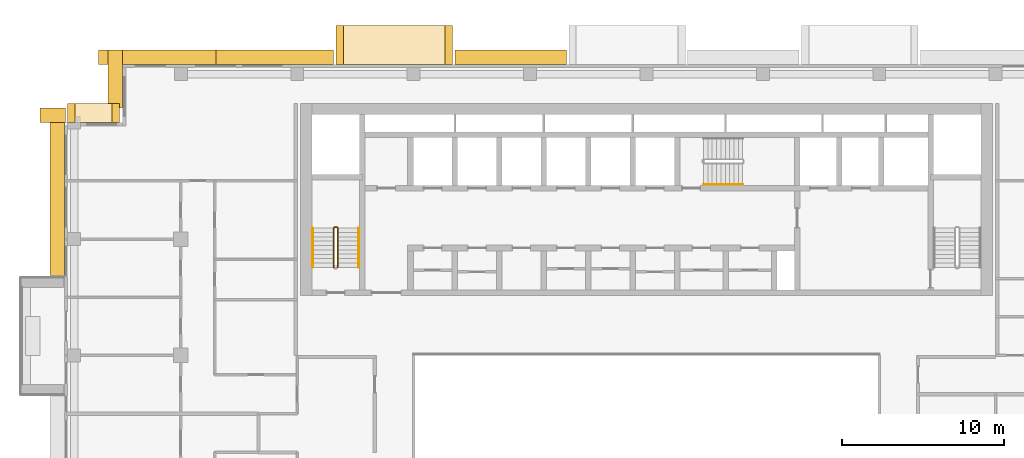
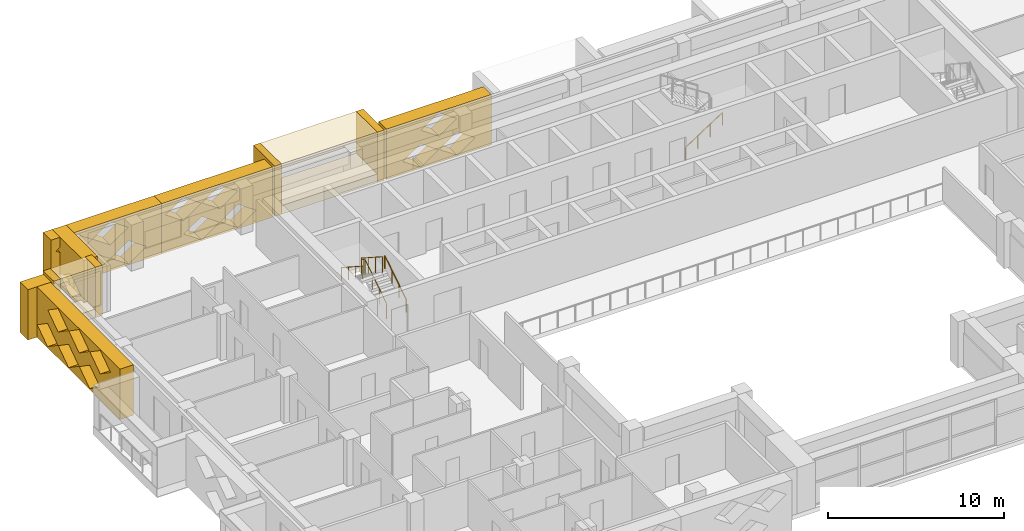
# One storey, part 18 of 20: 14 coverings, 4 railings.
"""IFC4 building model written with IfcOpenShell, lengths in metres."""

from ifc_helpers import new_model, si_unit, direction, frame, origin, origin_2d, place, context, subcontext, project, spatial, polyline, circle, outline, extrude, material, type_object, element, save


model = new_model("IFC4")

# Units and contexts
model_context = context("Model", 3, precision=1e-05, world=origin(), true_north=direction((0.0, 1.0)))
body_context = subcontext(model_context, "Body", "Model", "MODEL_VIEW")
ifc_project = project(units=[si_unit("LENGTHUNIT", "METRE"), si_unit("AREAUNIT", "SQUARE_METRE"), si_unit("VOLUMEUNIT", "CUBIC_METRE"), si_unit("PLANEANGLEUNIT", "RADIAN"), si_unit("MASSUNIT", "GRAM", prefix="KILO")], contexts=[model_context])

# Site, building, storey
site_placement = place(None, origin())
site = spatial("IfcSite", under=ifc_project, at=site_placement, CompositionType="ELEMENT")
building_placement = place(site_placement, origin())
building = spatial("IfcBuilding", under=site, at=building_placement, Name="Saffron Iwan Residences", CompositionType="ELEMENT")
storey_placement = place(building_placement, frame((0.0, 0.0, 192.0)))
storey = spatial("IfcBuildingStorey", under=building, at=storey_placement, Name="L51", CompositionType="ELEMENT", Elevation=192.0)

# Coverings
ifc_material_1 = material(Name="Precast concrete C40/50", Category="concrete")
covering_type_1 = type_object("IfcCoveringType", Name="OUTER SKIN LATTICE SCREEN", PredefinedType="CLADDING", material=ifc_material_1)
covering_1_placement = place(storey_placement, frame((45.449951171875, 80.39990234375, -0.300048828125), z_axis=(0.0, 1.0, 0.0), x_axis=(-1.0, 0.0, 0.0)))
element("IfcCovering", 1, at=covering_1_placement, inside=storey, type_object=covering_type_1, Name="OUTER SKIN lattice screen L51 F5.3", PredefinedType="CLADDING", context=body_context, shape_type="SweptSolid", body=[
    extrude(outline(polyline([(0.0, 0.0), (6.89990234375, 0.0), (6.89990234375, 3.5), (0.0, 3.5), (0.0, 0.0)]), holes=[polyline([(1.070068359375, 0.875), (2.25, 0.06005859375), (3.429931640625, 0.875), (2.25, 1.68994140625), (1.070068359375, 0.875)]), polyline([(3.469970703125, 0.875), (4.64990234375, 0.06005859375), (5.830078125, 0.875), (4.64990234375, 1.68994140625), (3.469970703125, 0.875)]), polyline([(2.27001953125, 2.625), (3.449951171875, 1.81005859375), (4.6298828125, 2.625), (3.449951171875, 3.43994140625), (2.27001953125, 2.625)])]), origin(), (0.0, 0.0, 1.0), 0.900146484375),
])
covering_2_placement = place(storey_placement, frame((31.050048828125, 80.39990234375, -0.300048828125), z_axis=(0.0, 1.0, 0.0), x_axis=(-1.0, 0.0, 0.0)))
element("IfcCovering", 2, at=covering_2_placement, inside=storey, type_object=covering_type_1, Name="OUTER SKIN lattice screen L51 F5.4", PredefinedType="CLADDING", context=body_context, shape_type="SweptSolid", body=[
    extrude(outline(polyline([(0.0, 0.0), (7.27490234375, 0.0), (7.27490234375, 3.5), (0.0, 3.5), (0.0, 0.0)]), holes=[polyline([(1.070068359375, 0.875), (2.25, 0.06005859375), (3.429931640625, 0.875), (2.25, 1.68994140625), (1.070068359375, 0.875)]), polyline([(3.469970703125, 0.875), (4.64990234375, 0.06005859375), (5.830078125, 0.875), (4.64990234375, 1.68994140625), (3.469970703125, 0.875)]), polyline([(2.27001953125, 2.625), (3.449951171875, 1.81005859375), (4.6298828125, 2.625), (3.449951171875, 3.43994140625), (2.27001953125, 2.625)]), polyline([(4.669921875, 2.625), (5.85009765625, 1.81005859375), (7.030029296875, 2.625), (5.85009765625, 3.43994140625), (4.669921875, 2.625)])]), origin(), (0.0, 0.0, 1.0), 0.900146484375),
])
covering_3_placement = place(storey_placement, frame((23.77490234375, 80.39990234375, -0.300048828125), z_axis=(0.0, 1.0, 0.0), x_axis=(-1.0, 0.0, 0.0)))
element("IfcCovering", 3, at=covering_3_placement, inside=storey, type_object=covering_type_1, Name="OUTER SKIN lattice screen L51 F5.5", PredefinedType="CLADDING", context=body_context, shape_type="SweptSolid", body=[
    extrude(outline(polyline([(0.0, 0.0), (7.27490234375, 0.0), (7.27490234375, 3.5), (0.0, 3.5), (0.0, 0.0)]), holes=[polyline([(0.9951171875, 0.875), (2.175048828125, 0.06005859375), (3.35498046875, 0.875), (2.175048828125, 1.68994140625), (0.9951171875, 0.875)]), polyline([(3.39501953125, 0.875), (4.574951171875, 0.06005859375), (5.7548828125, 0.875), (4.574951171875, 1.68994140625), (3.39501953125, 0.875)]), polyline([(2.195068359375, 2.625), (3.375, 1.81005859375), (4.554931640625, 2.625), (3.375, 3.43994140625), (2.195068359375, 2.625)]), polyline([(4.594970703125, 2.625), (5.77490234375, 1.81005859375), (6.955078125, 2.625), (5.77490234375, 3.43994140625), (4.594970703125, 2.625)])]), origin(), (0.0, 0.0, 1.0), 0.900146484375),
])
covering_4_placement = place(storey_placement, frame((18.0, 81.300048828125, -0.300048828125), z_axis=(-1.0, 0.0, 0.0), x_axis=(0.0, -1.0, 0.0)))
element("IfcCovering", 4, at=covering_4_placement, inside=storey, type_object=covering_type_1, Name="OUTER SKIN lattice screen L51 F6.0", PredefinedType="CLADDING", context=body_context, shape_type="SweptSolid", body=[
    extrude(outline(polyline([(0.0, 0.0), (3.60009765625, 0.0), (3.60009765625, 3.5), (0.0, 3.5), (0.0, 0.0)]), holes=[polyline([(0.919921875, 0.875), (2.10009765625, 0.06005859375), (3.280029296875, 0.875), (2.10009765625, 1.68994140625), (0.919921875, 0.875)])]), origin(), (0.0, 0.0, 1.0), 0.89990234375),
])
covering_5_placement = place(storey_placement, frame((14.449951171875, 76.800048828125, -0.300048828125), z_axis=(0.0, 1.0, 0.0), x_axis=(-1.0, 0.0, 0.0)))
element("IfcCovering", 5, at=covering_5_placement, inside=storey, type_object=covering_type_1, Name="OUTER SKIN lattice screen L51 F7.0", PredefinedType="CLADDING", context=body_context, shape_type="SweptSolid", body=[
    extrude(outline(polyline([(0.0, 0.0), (1.550048828125, 0.0), (1.550048828125, 3.5), (0.0, 3.5), (0.0, 0.0)])), origin(), (0.0, 0.0, 1.0), 0.89990234375),
])
covering_6_placement = place(storey_placement, frame((14.39990234375, 77.699951171875, -0.300048828125), z_axis=(-1.0, 0.0, 0.0), x_axis=(0.0, -1.0, 0.0)))
element("IfcCovering", 6, at=covering_6_placement, inside=storey, type_object=covering_type_1, Name="OUTER SKIN lattice screen L51 F8.0", PredefinedType="CLADDING", context=body_context, shape_type="SweptSolid", body=[
    extrude(outline(polyline([(0.0, 0.0), (10.35009765625, 0.0), (10.35009765625, 3.5), (0.0, 3.5), (0.0, 0.0)]), holes=[polyline([(0.919921875, 0.875), (2.10009765625, 0.06005859375), (3.280029296875, 0.875), (2.10009765625, 1.68994140625), (0.919921875, 0.875)]), polyline([(3.320068359375, 0.875), (4.5, 0.06005859375), (5.679931640625, 0.875), (4.5, 1.68994140625), (3.320068359375, 0.875)]), polyline([(5.719970703125, 0.875), (6.89990234375, 0.06005859375), (8.080078125, 0.875), (6.89990234375, 1.68994140625), (5.719970703125, 0.875)]), polyline([(2.1201171875, 2.625), (3.300048828125, 1.81005859375), (4.47998046875, 2.625), (3.300048828125, 3.43994140625), (2.1201171875, 2.625)]), polyline([(4.52001953125, 2.625), (5.699951171875, 1.81005859375), (6.8798828125, 2.625), (5.699951171875, 3.43994140625), (4.52001953125, 2.625)]), polyline([(6.919921875, 2.625), (8.10009765625, 1.81005859375), (9.280029296875, 2.625), (8.10009765625, 3.43994140625), (6.919921875, 2.625)])]), origin(), (0.0, 0.0, 1.0), 0.89990234375),
])

# Railings
ifc_material_2 = material(Name="Steel S355", Category="steel")
railing_type_1 = type_object("IfcRailingType", Name="Stair guard 1100", PredefinedType="GUARDRAIL", material=ifc_material_2)
railing_1_placement = place(storey_placement, frame((31.300048828125, 67.85009765625, 0.175048828125)))
element("IfcRailing", 7, at=railing_1_placement, inside=storey, type_object=railing_type_1, Name="L51 ST-W stair guard 1", PredefinedType="GUARDRAIL", context=body_context, shape_type="SweptSolid", body=[
    extrude(circle(Radius=0.02392578125, at=origin_2d()), frame((0.0, 0.0, 1.076171875), z_axis=(0.0, 0.839153699163, 0.543894354798), x_axis=(-1.0, 0.0, 0.0)), (0.0, 0.0, 1.0), 2.895751953125),
    extrude(circle(Radius=0.02392578125, at=origin_2d()), frame((0.0, 2.429931640625, 2.65087890625), z_axis=(-0.707106781187, 0.707106781187, 0.0), x_axis=(-0.707106781187, -0.707106781187, 0.0)), (0.0, 0.0, 1.0), 0.07080078125),
    extrude(circle(Radius=0.02392578125, at=origin_2d()), frame((-0.050048828125, 2.47998046875, 2.65087890625), z_axis=(-1.0, 0.0, 0.0), x_axis=(0.0, -1.0, 0.0)), (0.0, 0.0, 1.0), 0.14990234375),
    extrude(circle(Radius=0.02392578125, at=origin_2d()), frame((-0.199951171875, 2.47998046875, 2.65087890625), z_axis=(-0.265065253269, -0.265065253269, 0.927081885822), x_axis=(0.707106781187, -0.707106781187, 0.0)), (0.0, 0.0, 1.0), 0.188720703125),
    extrude(circle(Radius=0.02392578125, at=origin_2d()), frame((-0.25, 2.429931640625, 2.826171875), z_axis=(0.0, -0.839153699163, 0.543894354798), x_axis=(1.0, 0.0, 0.0)), (0.0, 0.0, 1.0), 2.895751953125),
    extrude(circle(Radius=0.02099609375, at=origin_2d()), origin(), (0.0, 0.0, 1.0), 1.052001953125),
    extrude(circle(Radius=0.02099609375, at=origin_2d()), frame((0.0, 0.81005859375, 0.52490234375)), (0.0, 0.0, 1.0), 1.052001953125),
    extrude(circle(Radius=0.02099609375, at=origin_2d()), frame((0.0, 1.619873046875, 1.050048828125)), (0.0, 0.0, 1.0), 1.052001953125),
    extrude(circle(Radius=0.02099609375, at=origin_2d()), frame((0.0, 2.429931640625, 1.574951171875)), (0.0, 0.0, 1.0), 1.052001953125),
    extrude(circle(Radius=0.02099609375, at=origin_2d()), frame((-0.050048828125, 2.47998046875, 1.574951171875)), (0.0, 0.0, 1.0), 1.052001953125),
    extrude(circle(Radius=0.02099609375, at=origin_2d()), frame((-0.199951171875, 2.47998046875, 1.574951171875)), (0.0, 0.0, 1.0), 1.052001953125),
    extrude(circle(Radius=0.02099609375, at=origin_2d()), frame((-0.25, 2.429931640625, 1.75)), (0.0, 0.0, 1.0), 1.052001953125),
    extrude(circle(Radius=0.02099609375, at=origin_2d()), frame((-0.25, 1.619873046875, 2.27490234375)), (0.0, 0.0, 1.0), 1.052001953125),
    extrude(circle(Radius=0.02099609375, at=origin_2d()), frame((-0.25, 0.81005859375, 2.800048828125)), (0.0, 0.0, 1.0), 1.052001953125),
    extrude(circle(Radius=0.02099609375, at=origin_2d()), frame((-0.25, 0.0, 3.324951171875)), (0.0, 0.0, 1.0), 1.052001953125),
])
ifc_material_3 = material(Name="Stainless steel 316", Category="steel")
railing_type_2 = type_object("IfcRailingType", Name="Stair handrail 900", PredefinedType="HANDRAIL", material=ifc_material_3)
railing_2_placement = place(storey_placement, frame((32.60009765625, 67.85009765625, 0.175048828125)))
element("IfcRailing", 8, at=railing_2_placement, inside=storey, type_object=railing_type_2, Name="L51 ST-W stair handrail 1", PredefinedType="HANDRAIL", context=body_context, shape_type="SweptSolid", body=[
    extrude(circle(Radius=0.02392578125, at=origin_2d()), frame((0.0, 0.0, 0.8759765625), z_axis=(0.0, 0.839153699163, 0.543894354798), x_axis=(-1.0, 0.0, 0.0)), (0.0, 0.0, 1.0), 2.895751953125),
    extrude(circle(Radius=0.02099609375, at=origin_2d()), origin(), (0.0, 0.0, 1.0), 0.851806640625),
    extrude(circle(Radius=0.02099609375, at=origin_2d()), frame((0.0, 0.81005859375, 0.52490234375)), (0.0, 0.0, 1.0), 0.851806640625),
    extrude(circle(Radius=0.02099609375, at=origin_2d()), frame((0.0, 1.619873046875, 1.050048828125)), (0.0, 0.0, 1.0), 0.851806640625),
    extrude(circle(Radius=0.02099609375, at=origin_2d()), frame((0.0, 2.429931640625, 1.574951171875)), (0.0, 0.0, 1.0), 0.851806640625),
])
railing_3_placement = place(storey_placement, frame((29.75, 70.280029296875, 1.925048828125)))
element("IfcRailing", 9, at=railing_3_placement, inside=storey, type_object=railing_type_2, Name="L51 ST-W stair handrail 2", PredefinedType="HANDRAIL", context=body_context, shape_type="SweptSolid", body=[
    extrude(circle(Radius=0.02392578125, at=origin_2d()), frame((0.0, 0.0, 0.8759765625), z_axis=(0.0, -0.839153699163, 0.543894354798), x_axis=(1.0, 0.0, 0.0)), (0.0, 0.0, 1.0), 2.895751953125),
    extrude(circle(Radius=0.02099609375, at=origin_2d()), origin(), (0.0, 0.0, 1.0), 0.851806640625),
    extrude(circle(Radius=0.02099609375, at=origin_2d()), frame((0.0, -0.81005859375, 0.52490234375)), (0.0, 0.0, 1.0), 0.851806640625),
    extrude(circle(Radius=0.02099609375, at=origin_2d()), frame((0.0, -1.619873046875, 1.050048828125)), (0.0, 0.0, 1.0), 0.851806640625),
    extrude(circle(Radius=0.02099609375, at=origin_2d()), frame((0.0, -2.429931640625, 1.574951171875)), (0.0, 0.0, 1.0), 0.851806640625),
])
railing_4_placement = place(storey_placement, frame((53.925048828125, 72.97509765625, 0.175048828125)))
element("IfcRailing", 10, at=railing_4_placement, inside=storey, type_object=railing_type_2, Name="L51 ST-C stair handrail 1", PredefinedType="HANDRAIL", context=body_context, shape_type="SweptSolid", body=[
    extrude(circle(Radius=0.02392578125, at=origin_2d()), frame((0.0, 0.0, 0.8759765625), z_axis=(0.839153699163, 0.0, 0.543894354798), x_axis=(0.0, 1.0, 0.0)), (0.0, 0.0, 1.0), 2.895751953125),
    extrude(circle(Radius=0.02099609375, at=origin_2d()), origin(), (0.0, 0.0, 1.0), 0.851806640625),
    extrude(circle(Radius=0.02099609375, at=origin_2d()), frame((0.81005859375, 0.0, 0.52490234375)), (0.0, 0.0, 1.0), 0.851806640625),
    extrude(circle(Radius=0.02099609375, at=origin_2d()), frame((1.619873046875, 0.0, 1.050048828125)), (0.0, 0.0, 1.0), 0.851806640625),
    extrude(circle(Radius=0.02099609375, at=origin_2d()), frame((2.429931640625, 0.0, 1.574951171875)), (0.0, 0.0, 1.0), 0.851806640625),
])

# Coverings
ifc_material_4 = material(Name="Precast concrete C40/50 white painted", Category="concrete")
covering_type_2 = type_object("IfcCoveringType", Name="WHITE SUN FRAME PRECAST", PredefinedType="CLADDING", material=ifc_material_4)
for number, where, z_axis, x_axis, name in (
    (11, (38.39990234375, 80.39990234375, -0.300048828125), (0.0, 1.0, 0.0), (-1.0, 0.0, 0.0), "Sun frame L51 F5 44.4a"),
    (12, (31.64990234375, 80.39990234375, -0.300048828125), (0.0, 1.0, 0.0), (-1.0, 0.0, 0.0), "Sun frame L51 F5 44.4b"),
):
    element("IfcCovering", number, at=place(storey_placement, frame(where, z_axis=z_axis, x_axis=x_axis)), inside=storey, type_object=covering_type_2, Name=name, PredefinedType="CLADDING", context=body_context, shape_type="SweptSolid", body=[
        extrude(outline(polyline([(0.0, 0.0), (0.449951171875, 0.0), (0.449951171875, 3.5), (0.0, 3.5), (0.0, 0.0)])), origin(), (0.0, 0.0, 1.0), 2.400146484375),
    ])
for number, where, z_axis, x_axis, name in (
    (13, (37.949951171875, 80.39990234375, 2.60009765625), (0.0, 1.0, 0.0), (-1.0, 0.0, 0.0), "Sun frame L51 F5 44.4h"),
    (14, (37.949951171875, 80.39990234375, -0.300048828125), (0.0, 1.0, 0.0), (-1.0, 0.0, 0.0), "Sun frame L51 F5 44.4s"),
):
    element("IfcCovering", number, at=place(storey_placement, frame(where, z_axis=z_axis, x_axis=x_axis)), inside=storey, type_object=covering_type_2, Name=name, PredefinedType="CLADDING", context=body_context, shape_type="SweptSolid", body=[
        extrude(outline(polyline([(0.0, 0.0), (6.300048828125, 0.0), (6.300048828125, 0.60009765625), (0.0, 0.60009765625), (0.0, 0.0)])), origin(), (0.0, 0.0, 1.0), 2.400146484375),
    ])
for number, where, z_axis, x_axis, name in (
    (15, (17.800048828125, 76.800048828125, -0.300048828125), (0.0, 1.0, 0.0), (-1.0, 0.0, 0.0), "Sun frame L51 F7 0.2a"),
    (16, (15.050048828125, 76.800048828125, -0.300048828125), (0.0, 1.0, 0.0), (-1.0, 0.0, 0.0), "Sun frame L51 F7 0.2b"),
):
    element("IfcCovering", number, at=place(storey_placement, frame(where, z_axis=z_axis, x_axis=x_axis)), inside=storey, type_object=covering_type_2, Name=name, PredefinedType="CLADDING", context=body_context, shape_type="SweptSolid", body=[
        extrude(outline(polyline([(0.0, 0.0), (0.449951171875, 0.0), (0.449951171875, 3.5), (0.0, 3.5), (0.0, 0.0)])), origin(), (0.0, 0.0, 1.0), 1.199951171875),
    ])
for number, where, z_axis, x_axis, name in (
    (17, (17.35009765625, 76.800048828125, 2.60009765625), (0.0, 1.0, 0.0), (-1.0, 0.0, 0.0), "Sun frame L51 F7 0.2h"),
    (18, (17.35009765625, 76.800048828125, -0.300048828125), (0.0, 1.0, 0.0), (-1.0, 0.0, 0.0), "Sun frame L51 F7 0.2s"),
):
    element("IfcCovering", number, at=place(storey_placement, frame(where, z_axis=z_axis, x_axis=x_axis)), inside=storey, type_object=covering_type_2, Name=name, PredefinedType="CLADDING", context=body_context, shape_type="SweptSolid", body=[
        extrude(outline(polyline([(0.0, 0.0), (2.300048828125, 0.0), (2.300048828125, 0.60009765625), (0.0, 0.60009765625), (0.0, 0.0)])), origin(), (0.0, 0.0, 1.0), 1.199951171875),
    ])

save(model, "model.ifc")
